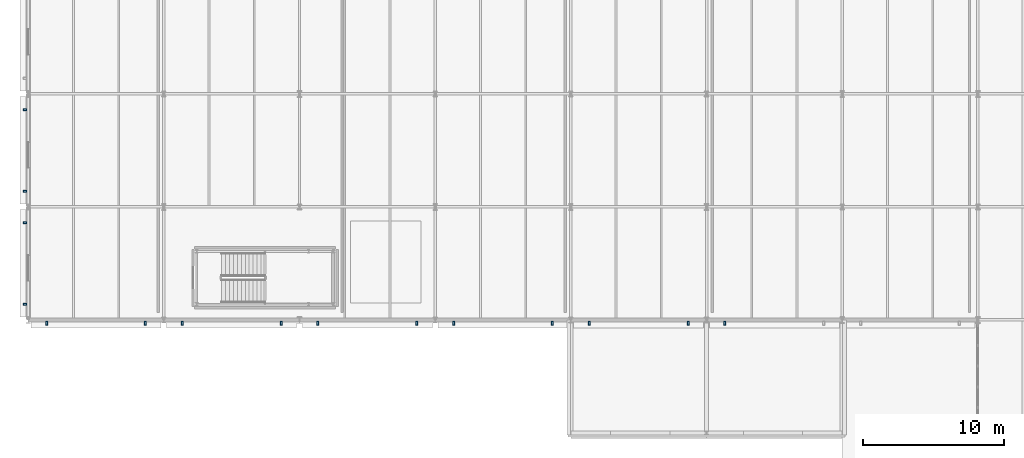
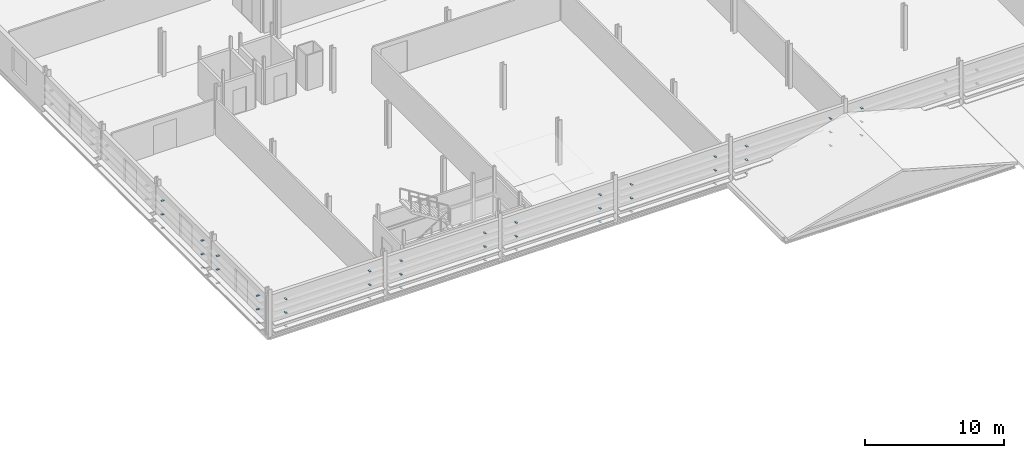
# One storey, part 65 of 85: 45 plates.
"""IFC4 building model written with IfcOpenShell, lengths in metres."""

from ifc_helpers import new_model, si_unit, direction, frame, origin, origin_2d, place, context, subcontext, project, spatial, rectangle, extrude, material, layer, layer_set, type_object, element, save


model = new_model("IFC4")

# Units and contexts
model_context = context("Model", 3, precision=1e-05, world=origin(), true_north=direction((0.0, 1.0)))
body_context = subcontext(model_context, "Body", "Model", "MODEL_VIEW")
ifc_project = project(units=[si_unit("LENGTHUNIT", "METRE"), si_unit("AREAUNIT", "SQUARE_METRE"), si_unit("VOLUMEUNIT", "CUBIC_METRE"), si_unit("PLANEANGLEUNIT", "RADIAN"), si_unit("MASSUNIT", "GRAM", prefix="KILO")], contexts=[model_context])

# Site, building, storey
site_placement = place(None, origin())
site = spatial("IfcSite", under=ifc_project, at=site_placement, CompositionType="ELEMENT")
building_placement = place(site_placement, origin())
building = spatial("IfcBuilding", under=site, at=building_placement, Name="Alderhovde Museum", CompositionType="ELEMENT")
storey_placement = place(building_placement, frame((0.0, 0.0, 8.699951171875)))
storey = spatial("IfcBuildingStorey", under=building, at=storey_placement, Name="L02", CompositionType="ELEMENT", Elevation=8.699951171875)

# Plates
ifc_material = material(Name="Steel S355J2", Category="steel")
ifc_layer = layer(ifc_material, 0.02001953125)
ifc_layer_set = layer_set([ifc_layer], Name="Steel S355J2")
plate_type = type_object("IfcPlateType", Name="LV-BRACKET", PredefinedType="USERDEFINED", material=ifc_layer_set)
for number, where, z_axis, x_axis, name in (
    (1, (9.3701171875, 49.112060546875, 0.2900390625), (0.0, 0.0, 1.0), (0.0, 1.0, 0.0), "L02 Louvre Support Bracket 62-1"),
    (2, (9.3701171875, 54.887939453125, 0.2900390625), (0.0, 0.0, 1.0), (0.0, 1.0, 0.0), "L02 Louvre Support Bracket 62-2"),
    (3, (9.3701171875, 49.112060546875, 1.489990234375), (0.0, 0.0, 1.0), (0.0, 1.0, 0.0), "L02 Louvre Support Bracket 64-1"),
    (4, (9.3701171875, 54.887939453125, 1.489990234375), (0.0, 0.0, 1.0), (0.0, 1.0, 0.0), "L02 Louvre Support Bracket 64-2"),
    (5, (9.3701171875, 49.112060546875, 2.68994140625), (0.0, 0.0, 1.0), (0.0, 1.0, 0.0), "L02 Louvre Support Bracket 66-1"),
    (6, (9.3701171875, 54.887939453125, 2.68994140625), (0.0, 0.0, 1.0), (0.0, 1.0, 0.0), "L02 Louvre Support Bracket 66-2"),
    (7, (9.3701171875, 57.112060546875, 0.2900390625), (0.0, 0.0, 1.0), (0.0, 1.0, 0.0), "L02 Louvre Support Bracket 67-1"),
    (8, (9.3701171875, 62.887939453125, 0.2900390625), (0.0, 0.0, 1.0), (0.0, 1.0, 0.0), "L02 Louvre Support Bracket 67-2"),
    (9, (9.3701171875, 57.112060546875, 1.489990234375), (0.0, 0.0, 1.0), (0.0, 1.0, 0.0), "L02 Louvre Support Bracket 69-1"),
    (10, (9.3701171875, 62.887939453125, 1.489990234375), (0.0, 0.0, 1.0), (0.0, 1.0, 0.0), "L02 Louvre Support Bracket 69-2"),
    (11, (9.3701171875, 57.112060546875, 2.68994140625), (0.0, 0.0, 1.0), (0.0, 1.0, 0.0), "L02 Louvre Support Bracket 71-1"),
    (12, (9.3701171875, 62.887939453125, 2.68994140625), (0.0, 0.0, 1.0), (0.0, 1.0, 0.0), "L02 Louvre Support Bracket 71-2"),
    (13, (10.904052734375, 47.77001953125, 0.2900390625), (0.0, 0.0, 1.0), (1.0, 0.0, 0.0), "L02 Louvre Support Bracket 82-1"),
    (14, (17.89599609375, 47.77001953125, 0.2900390625), (0.0, 0.0, 1.0), (1.0, 0.0, 0.0), "L02 Louvre Support Bracket 82-2"),
    (15, (10.904052734375, 47.77001953125, 1.489990234375), (0.0, 0.0, 1.0), (1.0, 0.0, 0.0), "L02 Louvre Support Bracket 84-1"),
    (16, (17.89599609375, 47.77001953125, 1.489990234375), (0.0, 0.0, 1.0), (1.0, 0.0, 0.0), "L02 Louvre Support Bracket 84-2"),
    (17, (10.904052734375, 47.77001953125, 2.68994140625), (0.0, 0.0, 1.0), (1.0, 0.0, 0.0), "L02 Louvre Support Bracket 86-1"),
    (18, (17.89599609375, 47.77001953125, 2.68994140625), (0.0, 0.0, 1.0), (1.0, 0.0, 0.0), "L02 Louvre Support Bracket 86-2"),
    (19, (20.50390625, 47.77001953125, 0.2900390625), (0.0, 0.0, 1.0), (1.0, 0.0, 0.0), "L02 Louvre Support Bracket 87-1"),
    (20, (27.49609375, 47.77001953125, 0.2900390625), (0.0, 0.0, 1.0), (1.0, 0.0, 0.0), "L02 Louvre Support Bracket 87-2"),
    (21, (20.50390625, 47.77001953125, 1.489990234375), (0.0, 0.0, 1.0), (1.0, 0.0, 0.0), "L02 Louvre Support Bracket 89-1"),
    (22, (27.49609375, 47.77001953125, 1.489990234375), (0.0, 0.0, 1.0), (1.0, 0.0, 0.0), "L02 Louvre Support Bracket 89-2"),
    (23, (20.50390625, 47.77001953125, 2.68994140625), (0.0, 0.0, 1.0), (1.0, 0.0, 0.0), "L02 Louvre Support Bracket 91-1"),
    (24, (27.49609375, 47.77001953125, 2.68994140625), (0.0, 0.0, 1.0), (1.0, 0.0, 0.0), "L02 Louvre Support Bracket 91-2"),
    (25, (30.10400390625, 47.77001953125, 0.2900390625), (0.0, 0.0, 1.0), (1.0, 0.0, 0.0), "L02 Louvre Support Bracket 92-1"),
    (26, (37.095947265625, 47.77001953125, 0.2900390625), (0.0, 0.0, 1.0), (1.0, 0.0, 0.0), "L02 Louvre Support Bracket 92-2"),
    (27, (30.10400390625, 47.77001953125, 1.489990234375), (0.0, 0.0, 1.0), (1.0, 0.0, 0.0), "L02 Louvre Support Bracket 94-1"),
    (28, (37.095947265625, 47.77001953125, 1.489990234375), (0.0, 0.0, 1.0), (1.0, 0.0, 0.0), "L02 Louvre Support Bracket 94-2"),
    (29, (30.10400390625, 47.77001953125, 2.68994140625), (0.0, 0.0, 1.0), (1.0, 0.0, 0.0), "L02 Louvre Support Bracket 96-1"),
    (30, (37.095947265625, 47.77001953125, 2.68994140625), (0.0, 0.0, 1.0), (1.0, 0.0, 0.0), "L02 Louvre Support Bracket 96-2"),
    (31, (39.7041015625, 47.77001953125, 0.2900390625), (0.0, 0.0, 1.0), (1.0, 0.0, 0.0), "L02 Louvre Support Bracket 97-1"),
    (32, (46.696044921875, 47.77001953125, 0.2900390625), (0.0, 0.0, 1.0), (1.0, 0.0, 0.0), "L02 Louvre Support Bracket 97-2"),
    (33, (39.7041015625, 47.77001953125, 1.489990234375), (0.0, 0.0, 1.0), (1.0, 0.0, 0.0), "L02 Louvre Support Bracket 99-1"),
    (34, (46.696044921875, 47.77001953125, 1.489990234375), (0.0, 0.0, 1.0), (1.0, 0.0, 0.0), "L02 Louvre Support Bracket 99-2"),
    (35, (39.7041015625, 47.77001953125, 2.68994140625), (0.0, 0.0, 1.0), (1.0, 0.0, 0.0), "L02 Louvre Support Bracket 101-1"),
    (36, (46.696044921875, 47.77001953125, 2.68994140625), (0.0, 0.0, 1.0), (1.0, 0.0, 0.0), "L02 Louvre Support Bracket 101-2"),
    (37, (49.303955078125, 47.77001953125, 0.2900390625), (0.0, 0.0, 1.0), (1.0, 0.0, 0.0), "L02 Louvre Support Bracket 102-1"),
    (38, (56.2958984375, 47.77001953125, 0.2900390625), (0.0, 0.0, 1.0), (1.0, 0.0, 0.0), "L02 Louvre Support Bracket 102-2"),
    (39, (49.303955078125, 47.77001953125, 1.489990234375), (0.0, 0.0, 1.0), (1.0, 0.0, 0.0), "L02 Louvre Support Bracket 104-1"),
    (40, (56.2958984375, 47.77001953125, 1.489990234375), (0.0, 0.0, 1.0), (1.0, 0.0, 0.0), "L02 Louvre Support Bracket 104-2"),
    (41, (49.303955078125, 47.77001953125, 2.68994140625), (0.0, 0.0, 1.0), (1.0, 0.0, 0.0), "L02 Louvre Support Bracket 106-1"),
    (42, (56.2958984375, 47.77001953125, 2.68994140625), (0.0, 0.0, 1.0), (1.0, 0.0, 0.0), "L02 Louvre Support Bracket 106-2"),
    (43, (58.904052734375, 47.77001953125, 0.2900390625), (0.0, 0.0, 1.0), (1.0, 0.0, 0.0), "L02 Louvre Support Bracket 107-1"),
    (44, (58.904052734375, 47.77001953125, 1.489990234375), (0.0, 0.0, 1.0), (1.0, 0.0, 0.0), "L02 Louvre Support Bracket 109-1"),
    (45, (58.904052734375, 47.77001953125, 2.68994140625), (0.0, 0.0, 1.0), (1.0, 0.0, 0.0), "L02 Louvre Support Bracket 111-1"),
):
    element("IfcPlate", number, at=place(storey_placement, frame(where, z_axis=z_axis, x_axis=x_axis)), inside=storey, type_object=plate_type, Name=name, ObjectType="BRACKET PLATE", PredefinedType="USERDEFINED", context=body_context, shape_type="SweptSolid", body=[
        extrude(rectangle(XDim=0.139892578125, YDim=0.260009765625, at=origin_2d()), origin(), (0.0, 0.0, 1.0), 0.02001953125),
    ])

save(model, "model.ifc")
